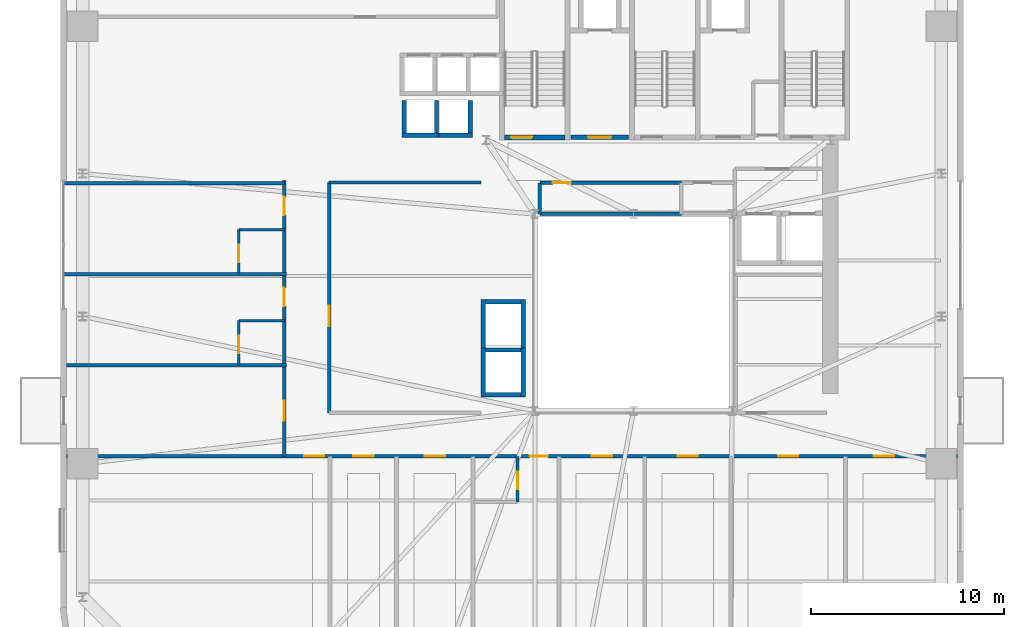
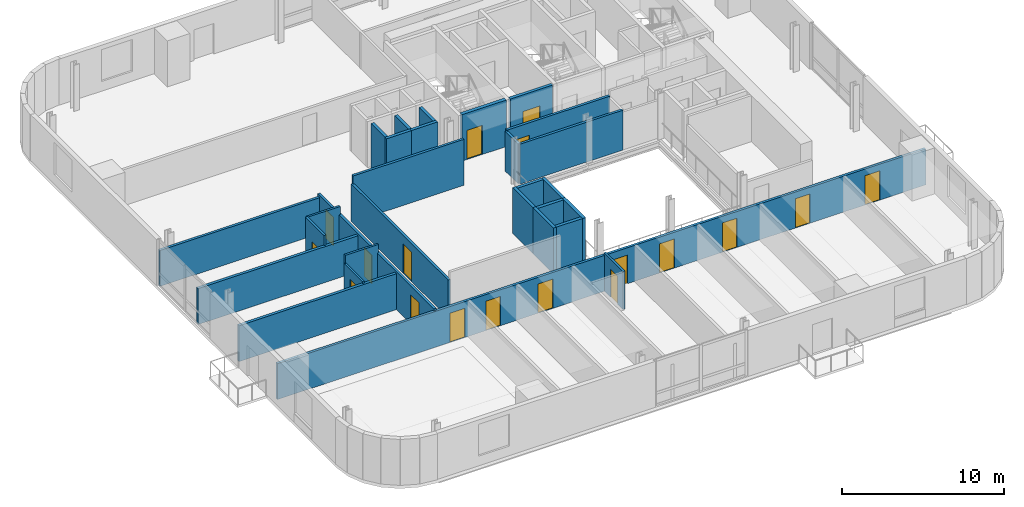
# One storey, part 6 of 14: 29 walls, 18 doors, 18 openings.
"""IFC4 building model written with IfcOpenShell, lengths in metres."""

from ifc_helpers import new_model, si_unit, direction, frame, frame_2d, origin, place, context, subcontext, project, spatial, rectangle, extrude, source, transform, mapped, material, layer, layer_set, type_object, element, fill, save


model = new_model("IFC4")

# Units and contexts
model_context = context("Model", 3, precision=1e-05, world=origin(), true_north=direction((0.0, 1.0)))
body_context = subcontext(model_context, "Body", "Model", "MODEL_VIEW")
ifc_project = project(units=[si_unit("LENGTHUNIT", "METRE"), si_unit("AREAUNIT", "SQUARE_METRE"), si_unit("VOLUMEUNIT", "CUBIC_METRE"), si_unit("PLANEANGLEUNIT", "RADIAN"), si_unit("MASSUNIT", "GRAM", prefix="KILO")], contexts=[model_context])

# Site, building, storey
site_placement = place(None, origin())
site = spatial("IfcSite", under=ifc_project, at=site_placement, CompositionType="ELEMENT")
building_placement = place(site_placement, origin())
building = spatial("IfcBuilding", under=site, at=building_placement, Name="Vardaveli Station Tower", CompositionType="ELEMENT")
storey_placement = place(building_placement, frame((0.0, 0.0, 129.800048828125)))
storey = spatial("IfcBuildingStorey", under=building, at=storey_placement, Name="L33", CompositionType="ELEMENT", Elevation=129.800048828125)

# Wall, opening, door
ifc_material_1 = material(Name="Concrete C40/50", Category="concrete")
ifc_layer_1 = layer(ifc_material_1, 0.25, Name="Concrete C40/50")
ifc_layer_set_1 = layer_set([ifc_layer_1], Name="Concrete C40/50")
wall_type_1 = type_object("IfcWallType", Name="WAL-SHAFT-250", PredefinedType="SOLIDWALL", material=ifc_layer_set_1)
shared_shape_1 = source(origin(), body_context, "Body", "SweptSolid", [
    extrude(rectangle(XDim=3.14990234375, YDim=0.25, at=frame_2d((1.574951171875, 0.0))), origin(), (0.0, 0.0, 1.0), 3.5),
])
wall_1_placement = place(storey_placement, frame((29.60009765625, 30.77490234375, 0.0), z_axis=(0.0, 0.0, 1.0), x_axis=(1.0, 0.0, 0.0)))
wall_1 = element("IfcWall", 1, at=wall_1_placement, inside=storey, type_object=wall_type_1, Name="W-L33-ST-1S", PredefinedType="SOLIDWALL", context=body_context, shape_type="MappedRepresentation", body=[
    mapped(shared_shape_1, transform((0.0, 0.0, 0.0), scale=1.0)),
])
shared_shape_2 = source(origin(), body_context, "Body", "SweptSolid", [
    extrude(rectangle(XDim=1.10009765625, YDim=2.199951171875, at=frame_2d((0.550048828125, 1.10009765625))), frame((0.0, 0.135009765625, 0.0), z_axis=(0.0, -1.0, 0.0), x_axis=(1.0, 0.0, 0.0)), (0.0, 0.0, 1.0), 0.27001953125),
])
opening_1_placement = place(wall_1_placement, frame((0.35009765625, 0.0, 0.0)))
opening_1 = element("IfcOpeningElement", 2, at=opening_1_placement, cuts=wall_1, Name="Opening D-04", PredefinedType="OPENING", context=body_context, shape_type="MappedRepresentation", body=[
    mapped(shared_shape_2, transform((0.0, 0.0, 0.0), scale=1.0)),
])
ifc_material_2 = material(Name="Steel smokeproof fire doorset", Category="steel")
door_type_1 = type_object("IfcDoorType", Name="DR-ST-1100x2200", OperationType="NOTDEFINED", PredefinedType="DOOR", material=ifc_material_2)
shared_shape_3 = source(origin(), body_context, "Body", "SweptSolid", [
    extrude(rectangle(XDim=1.10009765625, YDim=2.199951171875, at=frame_2d((0.550048828125, 1.10009765625))), frame((0.0, 0.02490234375, 0.0), z_axis=(0.0, -1.0, 0.0), x_axis=(1.0, 0.0, 0.0)), (0.0, 0.0, 1.0), 0.050048828125),
])
door_1_placement = place(opening_1_placement, origin())
door_1 = element("IfcDoor", 3, at=door_1_placement, inside=storey, type_object=door_type_1, Name="DST-1-L33", OperationType="SINGLE_SWING_LEFT", OverallHeight=2.199951171875, OverallWidth=1.10009765625, PredefinedType="DOOR", context=body_context, shape_type="MappedRepresentation", body=[
    mapped(shared_shape_3, transform((0.0, 0.0, 0.0), scale=1.0)),
])
fill(opening_1, door_1)

ifc_layer_2 = layer(ifc_material_1, 0.219970703125, Name="Concrete C40/50")
ifc_layer_set_2 = layer_set([ifc_layer_2], Name="Concrete C40/50")
wall_type_2 = type_object("IfcWallType", Name="WAL-FFLOBBY-220", PredefinedType="SOLIDWALL", material=ifc_layer_set_2)
shared_shape_4 = source(origin(), body_context, "Body", "SweptSolid", [
    extrude(rectangle(XDim=3.0, YDim=0.219970703125, at=frame_2d((1.5, 0.0))), origin(), (0.0, 0.0, 1.0), 3.4599609375),
])
wall_2_placement = place(storey_placement, frame((33.050048828125, 30.780029296875, 0.0), z_axis=(0.0, 0.0, 1.0), x_axis=(1.0, 0.0, 0.0)))
wall_2 = element("IfcWall", 4, at=wall_2_placement, inside=storey, type_object=wall_type_2, Name="W-L33-FFL1S", PredefinedType="SOLIDWALL", context=body_context, shape_type="MappedRepresentation", body=[
    mapped(shared_shape_4, transform((0.0, 0.0, 0.0), scale=1.0)),
])
shared_shape_5 = source(origin(), body_context, "Body", "SweptSolid", [
    extrude(rectangle(XDim=1.199951171875, YDim=2.199951171875, at=frame_2d((0.60009765625, 1.10009765625))), frame((0.0, 0.1201171875, 0.0), z_axis=(0.0, -1.0, 0.0), x_axis=(1.0, 0.0, 0.0)), (0.0, 0.0, 1.0), 0.239990234375),
])
opening_2_placement = place(wall_2_placement, frame((0.89990234375, 0.0, 0.0)))
opening_2 = element("IfcOpeningElement", 5, at=opening_2_placement, cuts=wall_2, Name="Opening D-03", PredefinedType="OPENING", context=body_context, shape_type="MappedRepresentation", body=[
    mapped(shared_shape_5, transform((0.0, 0.0, 0.0), scale=1.0)),
])
door_type_2 = type_object("IfcDoorType", Name="DR-FFL-1200x2200", OperationType="NOTDEFINED", PredefinedType="DOOR", material=ifc_material_2)
shared_shape_6 = source(origin(), body_context, "Body", "SweptSolid", [
    extrude(rectangle(XDim=1.199951171875, YDim=2.199951171875, at=frame_2d((0.60009765625, 1.10009765625))), frame((0.0, 0.02490234375, 0.0), z_axis=(0.0, -1.0, 0.0), x_axis=(1.0, 0.0, 0.0)), (0.0, 0.0, 1.0), 0.050048828125),
])
door_2_placement = place(opening_2_placement, origin())
door_2 = element("IfcDoor", 6, at=door_2_placement, inside=storey, type_object=door_type_2, Name="DFFL1-L33", OperationType="SINGLE_SWING_LEFT", OverallHeight=2.199951171875, OverallWidth=1.199951171875, PredefinedType="DOOR", context=body_context, shape_type="MappedRepresentation", body=[
    mapped(shared_shape_6, transform((0.0, 0.0, 0.0), scale=1.0)),
])
fill(opening_2, door_2)

# Walls
shared_shape_7 = source(origin(), body_context, "Body", "SweptSolid", [
    extrude(rectangle(XDim=1.89013671875, YDim=0.219970703125, at=frame_2d((0.945068359375, 0.0))), origin(), (0.0, 0.0, 1.0), 3.4599609375),
])
for number, where, z_axis, x_axis, name in (
    (7, (24.304931640625, 30.889892578125, 0.0), (0.0, 0.0, 1.0), (1.0, 0.0, 0.0), "SHW-SHU-01-L33-S"),
    (8, (26.054931640625, 30.889892578125, 0.0), (0.0, 0.0, 1.0), (1.0, 0.0, 0.0), "SHW-SHU-02-L33-S"),
):
    element("IfcWall", number, at=place(storey_placement, frame(where, z_axis=z_axis, x_axis=x_axis)), inside=storey, type_object=wall_type_2, Name=name, PredefinedType="SOLIDWALL", context=body_context, shape_type="MappedRepresentation", body=[
        mapped(shared_shape_7, transform((0.0, 0.0, 0.0), scale=1.0)),
    ])
shared_shape_8 = source(origin(), body_context, "Body", "SweptSolid", [
    extrude(rectangle(XDim=1.699951171875, YDim=0.219970703125, at=frame_2d((0.85009765625, 0.0))), origin(), (0.0, 0.0, 1.0), 3.4599609375),
])
for number, where, z_axis, x_axis, name in (
    (9, (24.4150390625, 31.0, 0.0), (0.0, 0.0, 1.0), (0.0, 1.0, 0.0), "SHW-SHU-01-L33-W"),
    (10, (26.0849609375, 31.0, 0.0), (0.0, 0.0, 1.0), (0.0, 1.0, 0.0), "SHW-SHU-01-L33-E"),
    (11, (27.8349609375, 31.0, 0.0), (0.0, 0.0, 1.0), (0.0, 1.0, 0.0), "SHW-SHU-02-L33-E"),
):
    element("IfcWall", number, at=place(storey_placement, frame(where, z_axis=z_axis, x_axis=x_axis)), inside=storey, type_object=wall_type_2, Name=name, PredefinedType="SOLIDWALL", context=body_context, shape_type="MappedRepresentation", body=[
        mapped(shared_shape_8, transform((0.0, 0.0, 0.0), scale=1.0)),
    ])
shared_shape_9 = source(origin(), body_context, "Body", "SweptSolid", [
    extrude(rectangle(XDim=1.85009765625, YDim=0.219970703125, at=frame_2d((0.925048828125, 0.0))), origin(), (0.0, 0.0, 1.0), 3.4599609375),
])
for number, where, z_axis, x_axis, name in (
    (12, (28.625, 17.43994140625, 0.0), (0.0, 0.0, 1.0), (1.0, 0.0, 0.0), "SHW-OBS-01-L33-S"),
    (13, (28.625, 19.760009765625, 0.0), (0.0, 0.0, 1.0), (1.0, 0.0, 0.0), "SHW-OBS-01-L33-N"),
    (14, (28.625, 22.260009765625, 0.0), (0.0, 0.0, 1.0), (1.0, 0.0, 0.0), "SHW-OBS-02-L33-N"),
):
    element("IfcWall", number, at=place(storey_placement, frame(where, z_axis=z_axis, x_axis=x_axis)), inside=storey, type_object=wall_type_2, Name=name, PredefinedType="SOLIDWALL", context=body_context, shape_type="MappedRepresentation", body=[
        mapped(shared_shape_9, transform((0.0, 0.0, 0.0), scale=1.0)),
    ])
shared_shape_10 = source(origin(), body_context, "Body", "SweptSolid", [
    extrude(rectangle(XDim=2.5400390625, YDim=0.219970703125, at=frame_2d((1.27001953125, 0.0))), origin(), (0.0, 0.0, 1.0), 3.4599609375),
])
for number, where, z_axis, x_axis, name in (
    (15, (28.514892578125, 17.330078125, 0.0), (0.0, 0.0, 1.0), (0.0, 1.0, 0.0), "SHW-OBS-01-L33-W"),
    (16, (30.5849609375, 17.330078125, 0.0), (0.0, 0.0, 1.0), (0.0, 1.0, 0.0), "SHW-OBS-01-L33-E"),
    (17, (28.514892578125, 19.830078125, 0.0), (0.0, 0.0, 1.0), (0.0, 1.0, 0.0), "SHW-OBS-02-L33-W"),
    (18, (30.5849609375, 19.830078125, 0.0), (0.0, 0.0, 1.0), (0.0, 1.0, 0.0), "SHW-OBS-02-L33-E"),
):
    element("IfcWall", number, at=place(storey_placement, frame(where, z_axis=z_axis, x_axis=x_axis)), inside=storey, type_object=wall_type_2, Name=name, PredefinedType="SOLIDWALL", context=body_context, shape_type="MappedRepresentation", body=[
        mapped(shared_shape_10, transform((0.0, 0.0, 0.0), scale=1.0)),
    ])

# Wall, openings, doors
ifc_material_3 = material(Name="Fire-rated gypsum stud partition")
ifc_layer_3 = layer(ifc_material_3, 0.179931640625, Name="Fire-rated gypsum stud partition")
ifc_layer_set_3 = layer_set([ifc_layer_3], Name="Fire-rated gypsum stud partition")
wall_type_3 = type_object("IfcWallType", Name="WAL-CORR-180", PredefinedType="PARTITIONING", material=ifc_layer_set_3)
shared_shape_11 = source(origin(), body_context, "Body", "SweptSolid", [
    extrude(rectangle(XDim=46.15576171875, YDim=0.179931640625, at=frame_2d((23.077880859375, 0.0))), origin(), (0.0, 0.0, 1.0), 2.701904296875),
])
wall_3_placement = place(storey_placement, frame((6.922119140625, 14.25, 0.0), z_axis=(0.0, 0.0, 1.0), x_axis=(1.0, 0.0, 0.0)))
wall_3 = element("IfcWall", 19, at=wall_3_placement, inside=storey, type_object=wall_type_3, Name="W-L33-CS", PredefinedType="PARTITIONING", context=body_context, shape_type="MappedRepresentation", body=[
    mapped(shared_shape_11, transform((0.0, 0.0, 0.0), scale=1.0)),
])
shared_shape_12 = source(origin(), body_context, "Body", "SweptSolid", [
    extrude(rectangle(XDim=1.050048828125, YDim=2.199951171875, at=frame_2d((0.52490234375, 1.10009765625))), frame((0.0, 0.10009765625, 0.0), z_axis=(0.0, -1.0, 0.0), x_axis=(1.0, 0.0, 0.0)), (0.0, 0.0, 1.0), 0.199951171875),
])
opening_3_placement = place(wall_3_placement, frame((12.298095703125, 0.0, 0.0)))
opening_3 = element("IfcOpeningElement", 20, at=opening_3_placement, cuts=wall_3, Name="Opening D-05", PredefinedType="OPENING", context=body_context, shape_type="MappedRepresentation", body=[
    mapped(shared_shape_12, transform((0.0, 0.0, 0.0), scale=1.0)),
])
opening_4_placement = place(wall_3_placement, frame((14.85302734375, 0.0, 0.0)))
opening_4 = element("IfcOpeningElement", 21, at=opening_4_placement, cuts=wall_3, Name="Opening D-05", PredefinedType="OPENING", context=body_context, shape_type="MappedRepresentation", body=[
    mapped(shared_shape_12, transform((0.0, 0.0, 0.0), scale=1.0)),
])
opening_5_placement = place(wall_3_placement, frame((18.555908203125, 0.0, 0.0)))
opening_5 = element("IfcOpeningElement", 22, at=opening_5_placement, cuts=wall_3, Name="Opening D-05", PredefinedType="OPENING", context=body_context, shape_type="MappedRepresentation", body=[
    mapped(shared_shape_12, transform((0.0, 0.0, 0.0), scale=1.0)),
])
shared_shape_13 = source(origin(), body_context, "Body", "SweptSolid", [
    extrude(rectangle(XDim=0.949951171875, YDim=2.14990234375, at=frame_2d((0.47509765625, 1.074951171875))), frame((0.0, 0.10009765625, 0.0), z_axis=(0.0, -1.0, 0.0), x_axis=(1.0, 0.0, 0.0)), (0.0, 0.0, 1.0), 0.199951171875),
])
opening_6_placement = place(wall_3_placement, frame((23.9853515625, 0.0, 0.0)))
opening_6 = element("IfcOpeningElement", 23, at=opening_6_placement, cuts=wall_3, Name="Opening D-06", PredefinedType="OPENING", context=body_context, shape_type="MappedRepresentation", body=[
    mapped(shared_shape_13, transform((0.0, 0.0, 0.0), scale=1.0)),
])
opening_7_placement = place(wall_3_placement, frame((27.213134765625, 0.0, 0.0)))
opening_7 = element("IfcOpeningElement", 24, at=opening_7_placement, cuts=wall_3, Name="Opening D-05", PredefinedType="OPENING", context=body_context, shape_type="MappedRepresentation", body=[
    mapped(shared_shape_12, transform((0.0, 0.0, 0.0), scale=1.0)),
])
opening_8_placement = place(wall_3_placement, frame((31.666015625, 0.0, 0.0)))
opening_8 = element("IfcOpeningElement", 25, at=opening_8_placement, cuts=wall_3, Name="Opening D-05", PredefinedType="OPENING", context=body_context, shape_type="MappedRepresentation", body=[
    mapped(shared_shape_12, transform((0.0, 0.0, 0.0), scale=1.0)),
])
opening_9_placement = place(wall_3_placement, frame((36.868896484375, 0.0, 0.0)))
opening_9 = element("IfcOpeningElement", 26, at=opening_9_placement, cuts=wall_3, Name="Opening D-05", PredefinedType="OPENING", context=body_context, shape_type="MappedRepresentation", body=[
    mapped(shared_shape_12, transform((0.0, 0.0, 0.0), scale=1.0)),
])
opening_10_placement = place(wall_3_placement, frame((41.827880859375, 0.0, 0.0)))
opening_10 = element("IfcOpeningElement", 27, at=opening_10_placement, cuts=wall_3, Name="Opening D-05", PredefinedType="OPENING", context=body_context, shape_type="MappedRepresentation", body=[
    mapped(shared_shape_12, transform((0.0, 0.0, 0.0), scale=1.0)),
])
ifc_material_4 = material(Name="Walnut veneer acoustic fire door")
door_type_3 = type_object("IfcDoorType", Name="DR-SUITE-1050x2200", OperationType="NOTDEFINED", PredefinedType="DOOR", material=ifc_material_4)
shared_shape_14 = source(origin(), body_context, "Body", "SweptSolid", [
    extrude(rectangle(XDim=1.050048828125, YDim=2.199951171875, at=frame_2d((0.52490234375, 1.10009765625))), frame((0.0, 0.02490234375, 0.0), z_axis=(0.0, -1.0, 0.0), x_axis=(1.0, 0.0, 0.0)), (0.0, 0.0, 1.0), 0.050048828125),
])
door_3_placement = place(opening_3_placement, origin())
door_3 = element("IfcDoor", 28, at=door_3_placement, inside=storey, type_object=door_type_3, Name="D-L33-SA1", OperationType="SINGLE_SWING_LEFT", OverallHeight=2.199951171875, OverallWidth=1.050048828125, PredefinedType="DOOR", context=body_context, shape_type="MappedRepresentation", body=[
    mapped(shared_shape_14, transform((0.0, 0.0, 0.0), scale=1.0)),
])
fill(opening_3, door_3)
door_4_placement = place(opening_4_placement, origin())
door_4 = element("IfcDoor", 29, at=door_4_placement, inside=storey, type_object=door_type_3, Name="D-L33-SA2", OperationType="SINGLE_SWING_RIGHT", OverallHeight=2.199951171875, OverallWidth=1.050048828125, PredefinedType="DOOR", context=body_context, shape_type="MappedRepresentation", body=[
    mapped(shared_shape_14, transform((0.0, 0.0, 0.0), scale=1.0)),
])
fill(opening_4, door_4)
door_5_placement = place(opening_5_placement, origin())
door_5 = element("IfcDoor", 30, at=door_5_placement, inside=storey, type_object=door_type_3, Name="D-L33-SA3", OperationType="SINGLE_SWING_LEFT", OverallHeight=2.199951171875, OverallWidth=1.050048828125, PredefinedType="DOOR", context=body_context, shape_type="MappedRepresentation", body=[
    mapped(shared_shape_14, transform((0.0, 0.0, 0.0), scale=1.0)),
])
fill(opening_5, door_5)
door_6_placement = place(opening_7_placement, origin())
door_6 = element("IfcDoor", 31, at=door_6_placement, inside=storey, type_object=door_type_3, Name="D-L33-SA5", OperationType="SINGLE_SWING_LEFT", OverallHeight=2.199951171875, OverallWidth=1.050048828125, PredefinedType="DOOR", context=body_context, shape_type="MappedRepresentation", body=[
    mapped(shared_shape_14, transform((0.0, 0.0, 0.0), scale=1.0)),
])
fill(opening_7, door_6)
door_7_placement = place(opening_8_placement, origin())
door_7 = element("IfcDoor", 32, at=door_7_placement, inside=storey, type_object=door_type_3, Name="D-L33-SA6", OperationType="SINGLE_SWING_RIGHT", OverallHeight=2.199951171875, OverallWidth=1.050048828125, PredefinedType="DOOR", context=body_context, shape_type="MappedRepresentation", body=[
    mapped(shared_shape_14, transform((0.0, 0.0, 0.0), scale=1.0)),
])
fill(opening_8, door_7)
door_8_placement = place(opening_9_placement, origin())
door_8 = element("IfcDoor", 33, at=door_8_placement, inside=storey, type_object=door_type_3, Name="D-L33-SA7", OperationType="SINGLE_SWING_LEFT", OverallHeight=2.199951171875, OverallWidth=1.050048828125, PredefinedType="DOOR", context=body_context, shape_type="MappedRepresentation", body=[
    mapped(shared_shape_14, transform((0.0, 0.0, 0.0), scale=1.0)),
])
fill(opening_9, door_8)
door_9_placement = place(opening_10_placement, origin())
door_9 = element("IfcDoor", 34, at=door_9_placement, inside=storey, type_object=door_type_3, Name="D-L33-SA8", OperationType="SINGLE_SWING_RIGHT", OverallHeight=2.199951171875, OverallWidth=1.050048828125, PredefinedType="DOOR", context=body_context, shape_type="MappedRepresentation", body=[
    mapped(shared_shape_14, transform((0.0, 0.0, 0.0), scale=1.0)),
])
fill(opening_10, door_9)
ifc_material_5 = material(Name="Oak veneer acoustic fire door")
door_type_4 = type_object("IfcDoorType", Name="DR-GUEST-950x2150", OperationType="NOTDEFINED", PredefinedType="DOOR", material=ifc_material_5)
shared_shape_15 = source(origin(), body_context, "Body", "SweptSolid", [
    extrude(rectangle(XDim=0.949951171875, YDim=2.14990234375, at=frame_2d((0.47509765625, 1.074951171875))), frame((0.0, 0.02490234375, 0.0), z_axis=(0.0, -1.0, 0.0), x_axis=(1.0, 0.0, 0.0)), (0.0, 0.0, 1.0), 0.050048828125),
])
door_10_placement = place(opening_6_placement, origin())
door_10 = element("IfcDoor", 35, at=door_10_placement, inside=storey, type_object=door_type_4, Name="D-L33-GS4", OperationType="SINGLE_SWING_RIGHT", OverallHeight=2.14990234375, OverallWidth=0.949951171875, PredefinedType="DOOR", context=body_context, shape_type="MappedRepresentation", body=[
    mapped(shared_shape_15, transform((0.0, 0.0, 0.0), scale=1.0)),
])
fill(opening_6, door_10)

# Walls
shared_shape_16 = source(origin(), body_context, "Body", "SweptSolid", [
    extrude(rectangle(XDim=11.469970703125, YDim=0.179931640625, at=frame_2d((5.73486328125, 0.0))), origin(), (0.0, 0.0, 1.0), 2.701904296875),
])
wall_4_placement = place(storey_placement, frame((6.72998046875, 28.39990234375, 0.0), z_axis=(0.0, 0.0, 1.0), x_axis=(1.0, 0.0, 0.0)))
element("IfcWall", 36, at=wall_4_placement, inside=storey, type_object=wall_type_3, Name="W-L33-CWN", PredefinedType="PARTITIONING", context=body_context, shape_type="MappedRepresentation", body=[
    mapped(shared_shape_16, transform((0.0, 0.0, 0.0), scale=1.0)),
])
shared_shape_17 = source(origin(), body_context, "Body", "SweptSolid", [
    extrude(rectangle(XDim=7.8798828125, YDim=0.179931640625, at=frame_2d((3.93994140625, 0.0))), origin(), (0.0, 0.0, 1.0), 3.4599609375),
])
wall_5_placement = place(storey_placement, frame((20.52001953125, 28.43994140625, 0.0), z_axis=(0.0, 0.0, 1.0), x_axis=(1.0, 0.0, 0.0)))
element("IfcWall", 37, at=wall_5_placement, inside=storey, type_object=wall_type_3, Name="W-L33-ATW-N", PredefinedType="PARTITIONING", context=body_context, shape_type="MappedRepresentation", body=[
    mapped(shared_shape_17, transform((0.0, 0.0, 0.0), scale=1.0)),
])

# Wall, opening, door
ifc_material_6 = material(Name="Moisture-resistant stud partition")
ifc_layer_4 = layer(ifc_material_6, 0.14990234375, Name="Moisture-resistant stud partition")
ifc_layer_set_4 = layer_set([ifc_layer_4], Name="Moisture-resistant stud partition")
wall_type_4 = type_object("IfcWallType", Name="WAL-WET-150", PredefinedType="PARTITIONING", material=ifc_layer_set_4)
shared_shape_18 = source(origin(), body_context, "Body", "SweptSolid", [
    extrude(rectangle(XDim=2.2900390625, YDim=0.14990234375, at=frame_2d((1.14501953125, 0.0))), origin(), (0.0, 0.0, 1.0), 2.85205078125),
])
wall_6_placement = place(storey_placement, frame((15.840087890625, 18.987060546875, 0.0), z_axis=(0.0, 0.0, 1.0), x_axis=(0.0, 1.0, 0.0)))
wall_6 = element("IfcWall", 38, at=wall_6_placement, inside=storey, type_object=wall_type_4, Name="W-L33-BW2-W", PredefinedType="PARTITIONING", context=body_context, shape_type="MappedRepresentation", body=[
    mapped(shared_shape_18, transform((0.0, 0.0, 0.0), scale=1.0)),
])
shared_shape_19 = source(origin(), body_context, "Body", "SweptSolid", [
    extrude(rectangle(XDim=0.89990234375, YDim=2.10009765625, at=frame_2d((0.449951171875, 1.050048828125))), frame((0.0, 0.0849609375, 0.0), z_axis=(0.0, -1.0, 0.0), x_axis=(1.0, 0.0, 0.0)), (0.0, 0.0, 1.0), 0.169921875),
])
opening_11_placement = place(wall_6_placement, frame((0.60009765625, 0.0, 0.0)))
opening_11 = element("IfcOpeningElement", 39, at=opening_11_placement, cuts=wall_6, Name="Opening D-08", PredefinedType="OPENING", context=body_context, shape_type="MappedRepresentation", body=[
    mapped(shared_shape_19, transform((0.0, 0.0, 0.0), scale=1.0)),
])
ifc_material_7 = material(Name="Moisture-resistant oak door")
door_type_5 = type_object("IfcDoorType", Name="DR-BATH-900x2100", OperationType="NOTDEFINED", PredefinedType="DOOR", material=ifc_material_7)
shared_shape_20 = source(origin(), body_context, "Body", "SweptSolid", [
    extrude(rectangle(XDim=0.89990234375, YDim=2.10009765625, at=frame_2d((0.449951171875, 1.050048828125))), frame((0.0, 0.02490234375, 0.0), z_axis=(0.0, -1.0, 0.0), x_axis=(1.0, 0.0, 0.0)), (0.0, 0.0, 1.0), 0.050048828125),
])
door_11_placement = place(opening_11_placement, origin())
door_11 = element("IfcDoor", 40, at=door_11_placement, inside=storey, type_object=door_type_5, Name="D-L33-BW2", OperationType="SINGLE_SWING_RIGHT", OverallHeight=2.10009765625, OverallWidth=0.89990234375, PredefinedType="DOOR", context=body_context, shape_type="MappedRepresentation", body=[
    mapped(shared_shape_20, transform((0.0, 0.0, 0.0), scale=1.0)),
])
fill(opening_11, door_11)

# Wall
shared_shape_21 = source(origin(), body_context, "Body", "SweptSolid", [
    extrude(rectangle(XDim=1.599853515625, YDim=0.179931640625, at=frame_2d((0.7998046875, 0.0))), origin(), (0.0, 0.0, 1.0), 3.001953125),
])
wall_7_placement = place(storey_placement, frame((31.449951171875, 26.820068359375, 0.0), z_axis=(0.0, 0.0, 1.0), x_axis=(0.0, 1.0, 0.0)))
element("IfcWall", 41, at=wall_7_placement, inside=storey, type_object=wall_type_3, Name="W-L33-HKP0-W", PredefinedType="PARTITIONING", context=body_context, shape_type="MappedRepresentation", body=[
    mapped(shared_shape_21, transform((0.0, 0.0, 0.0), scale=1.0)),
])

# Wall, opening, door
shared_shape_22 = source(origin(), body_context, "Body", "SweptSolid", [
    extrude(rectangle(XDim=11.93994140625, YDim=0.179931640625, at=frame_2d((5.969970703125, 0.0))), origin(), (0.0, 0.0, 1.0), 2.85205078125),
])
wall_8_placement = place(storey_placement, frame((20.52001953125, 16.5, 0.0), z_axis=(0.0, 0.0, 1.0), x_axis=(0.0, 1.0, 0.0)))
wall_8 = element("IfcWall", 42, at=wall_8_placement, inside=storey, type_object=wall_type_3, Name="W-L33-ATW-W", PredefinedType="PARTITIONING", context=body_context, shape_type="MappedRepresentation", body=[
    mapped(shared_shape_22, transform((0.0, 0.0, 0.0), scale=1.0)),
])
opening_12_placement = place(wall_8_placement, frame((4.5, 0.0, 0.0)))
opening_12 = element("IfcOpeningElement", 43, at=opening_12_placement, cuts=wall_8, Name="Opening D-05", PredefinedType="OPENING", context=body_context, shape_type="MappedRepresentation", body=[
    mapped(shared_shape_12, transform((0.0, 0.0, 0.0), scale=1.0)),
])
door_12_placement = place(opening_12_placement, origin())
door_12 = element("IfcDoor", 44, at=door_12_placement, inside=storey, type_object=door_type_3, Name="D-L33-ATW1", OperationType="SINGLE_SWING_RIGHT", OverallHeight=2.199951171875, OverallWidth=1.050048828125, PredefinedType="DOOR", context=body_context, shape_type="MappedRepresentation", body=[
    mapped(shared_shape_14, transform((0.0, 0.0, 0.0), scale=1.0)),
])
fill(opening_12, door_12)

shared_shape_23 = source(origin(), body_context, "Body", "SweptSolid", [
    extrude(rectangle(XDim=7.330078125, YDim=0.179931640625, at=frame_2d((3.6650390625, 0.0))), origin(), (0.0, 0.0, 1.0), 3.092041015625),
])
wall_9_placement = place(storey_placement, frame((31.449951171875, 28.419921875, 0.0), z_axis=(0.0, 0.0, 1.0), x_axis=(1.0, 0.0, 0.0)))
wall_9 = element("IfcWall", 45, at=wall_9_placement, inside=storey, type_object=wall_type_3, Name="W-L33-HKP0-N", PredefinedType="PARTITIONING", context=body_context, shape_type="MappedRepresentation", body=[
    mapped(shared_shape_23, transform((0.0, 0.0, 0.0), scale=1.0)),
])
opening_13_placement = place(wall_9_placement, frame((0.64990234375, 0.0, 0.0)))
opening_13 = element("IfcOpeningElement", 46, at=opening_13_placement, cuts=wall_9, Name="Opening D-06", PredefinedType="OPENING", context=body_context, shape_type="MappedRepresentation", body=[
    mapped(shared_shape_13, transform((0.0, 0.0, 0.0), scale=1.0)),
])
door_13_placement = place(opening_13_placement, origin())
door_13 = element("IfcDoor", 47, at=door_13_placement, inside=storey, type_object=door_type_4, Name="D-L33-HKP", OperationType="SINGLE_SWING_LEFT", OverallHeight=2.14990234375, OverallWidth=0.949951171875, PredefinedType="DOOR", context=body_context, shape_type="MappedRepresentation", body=[
    mapped(shared_shape_15, transform((0.0, 0.0, 0.0), scale=1.0)),
])
fill(opening_13, door_13)

# Wall
shared_shape_24 = source(origin(), body_context, "Body", "SweptSolid", [
    extrude(rectangle(XDim=7.330078125, YDim=0.179931640625, at=frame_2d((3.6650390625, 0.0))), origin(), (0.0, 0.0, 1.0), 3.001953125),
])
wall_10_placement = place(storey_placement, frame((31.449951171875, 26.820068359375, 0.0), z_axis=(0.0, 0.0, 1.0), x_axis=(1.0, 0.0, 0.0)))
element("IfcWall", 48, at=wall_10_placement, inside=storey, type_object=wall_type_3, Name="W-L33-HKP0-S", PredefinedType="PARTITIONING", context=body_context, shape_type="MappedRepresentation", body=[
    mapped(shared_shape_24, transform((0.0, 0.0, 0.0), scale=1.0)),
])

# Wall, opening, door
shared_shape_25 = source(origin(), body_context, "Body", "SweptSolid", [
    extrude(rectangle(XDim=2.2900390625, YDim=0.14990234375, at=frame_2d((1.14501953125, 0.0))), origin(), (0.0, 0.0, 1.0), 3.4599609375),
])
wall_11_placement = place(storey_placement, frame((15.840087890625, 23.702880859375, 0.0), z_axis=(0.0, 0.0, 1.0), x_axis=(0.0, 1.0, 0.0)))
wall_11 = element("IfcWall", 49, at=wall_11_placement, inside=storey, type_object=wall_type_4, Name="W-L33-BW3-W", PredefinedType="PARTITIONING", context=body_context, shape_type="MappedRepresentation", body=[
    mapped(shared_shape_25, transform((0.0, 0.0, 0.0), scale=1.0)),
])
opening_14_placement = place(wall_11_placement, frame((0.60009765625, 0.0, 0.0)))
opening_14 = element("IfcOpeningElement", 50, at=opening_14_placement, cuts=wall_11, Name="Opening D-08", PredefinedType="OPENING", context=body_context, shape_type="MappedRepresentation", body=[
    mapped(shared_shape_19, transform((0.0, 0.0, 0.0), scale=1.0)),
])
door_14_placement = place(opening_14_placement, origin())
door_14 = element("IfcDoor", 51, at=door_14_placement, inside=storey, type_object=door_type_5, Name="D-L33-BW3", OperationType="SINGLE_SWING_LEFT", OverallHeight=2.10009765625, OverallWidth=0.89990234375, PredefinedType="DOOR", context=body_context, shape_type="MappedRepresentation", body=[
    mapped(shared_shape_20, transform((0.0, 0.0, 0.0), scale=1.0)),
])
fill(opening_14, door_14)

# Wall, openings, doors
shared_shape_26 = source(origin(), body_context, "Body", "SweptSolid", [
    extrude(rectangle(XDim=14.300048828125, YDim=0.179931640625, at=frame_2d((7.14990234375, 0.0))), origin(), (0.0, 0.0, 1.0), 2.85205078125),
])
wall_12_placement = place(storey_placement, frame((18.199951171875, 14.25, 0.0), z_axis=(0.0, 0.0, 1.0), x_axis=(0.0, 1.0, 0.0)))
wall_12 = element("IfcWall", 52, at=wall_12_placement, inside=storey, type_object=wall_type_3, Name="W-L33-CW", PredefinedType="PARTITIONING", context=body_context, shape_type="MappedRepresentation", body=[
    mapped(shared_shape_26, transform((0.0, 0.0, 0.0), scale=1.0)),
])
opening_15_placement = place(wall_12_placement, frame((1.83837890625, 0.0, 0.0)))
opening_15 = element("IfcOpeningElement", 53, at=opening_15_placement, cuts=wall_12, Name="Opening D-05", PredefinedType="OPENING", context=body_context, shape_type="MappedRepresentation", body=[
    mapped(shared_shape_12, transform((0.0, 0.0, 0.0), scale=1.0)),
])
opening_16_placement = place(wall_12_placement, frame((7.780029296875, 0.0, 0.0)))
opening_16 = element("IfcOpeningElement", 54, at=opening_16_placement, cuts=wall_12, Name="Opening D-06", PredefinedType="OPENING", context=body_context, shape_type="MappedRepresentation", body=[
    mapped(shared_shape_13, transform((0.0, 0.0, 0.0), scale=1.0)),
])
opening_17_placement = place(wall_12_placement, frame((12.49658203125, 0.0, 0.0)))
opening_17 = element("IfcOpeningElement", 55, at=opening_17_placement, cuts=wall_12, Name="Opening D-06", PredefinedType="OPENING", context=body_context, shape_type="MappedRepresentation", body=[
    mapped(shared_shape_13, transform((0.0, 0.0, 0.0), scale=1.0)),
])
door_15_placement = place(opening_15_placement, origin())
door_15 = element("IfcDoor", 56, at=door_15_placement, inside=storey, type_object=door_type_3, Name="D-L33-GW1", OperationType="SINGLE_SWING_LEFT", OverallHeight=2.199951171875, OverallWidth=1.050048828125, PredefinedType="DOOR", context=body_context, shape_type="MappedRepresentation", body=[
    mapped(shared_shape_14, transform((0.0, 0.0, 0.0), scale=1.0)),
])
fill(opening_15, door_15)
door_16_placement = place(opening_16_placement, origin())
door_16 = element("IfcDoor", 57, at=door_16_placement, inside=storey, type_object=door_type_4, Name="D-L33-GW2", OperationType="SINGLE_SWING_RIGHT", OverallHeight=2.14990234375, OverallWidth=0.949951171875, PredefinedType="DOOR", context=body_context, shape_type="MappedRepresentation", body=[
    mapped(shared_shape_15, transform((0.0, 0.0, 0.0), scale=1.0)),
])
fill(opening_16, door_16)
door_17_placement = place(opening_17_placement, origin())
door_17 = element("IfcDoor", 58, at=door_17_placement, inside=storey, type_object=door_type_4, Name="D-L33-GW3", OperationType="SINGLE_SWING_LEFT", OverallHeight=2.14990234375, OverallWidth=0.949951171875, PredefinedType="DOOR", context=body_context, shape_type="MappedRepresentation", body=[
    mapped(shared_shape_15, transform((0.0, 0.0, 0.0), scale=1.0)),
])
fill(opening_17, door_17)

# Wall, opening, door
shared_shape_27 = source(origin(), body_context, "Body", "SweptSolid", [
    extrude(rectangle(XDim=2.360107421875, YDim=0.14990234375, at=frame_2d((1.18017578125, 0.0))), origin(), (0.0, 0.0, 1.0), 2.85205078125),
])
wall_13_placement = place(storey_placement, frame((30.285888671875, 11.889892578125, 0.0), z_axis=(0.0, 0.0, 1.0), x_axis=(0.0, 1.0, 0.0)))
wall_13 = element("IfcWall", 59, at=wall_13_placement, inside=storey, type_object=wall_type_4, Name="W-L33-BS4-E", PredefinedType="PARTITIONING", context=body_context, shape_type="MappedRepresentation", body=[
    mapped(shared_shape_27, transform((0.0, 0.0, 0.0), scale=1.0)),
])
opening_18_placement = place(wall_13_placement, frame((0.64990234375, 0.0, 0.0)))
opening_18 = element("IfcOpeningElement", 60, at=opening_18_placement, cuts=wall_13, Name="Opening D-08", PredefinedType="OPENING", context=body_context, shape_type="MappedRepresentation", body=[
    mapped(shared_shape_19, transform((0.0, 0.0, 0.0), scale=1.0)),
])
door_18_placement = place(opening_18_placement, origin())
door_18 = element("IfcDoor", 61, at=door_18_placement, inside=storey, type_object=door_type_5, Name="D-L33-BS4", OperationType="SINGLE_SWING_LEFT", OverallHeight=2.10009765625, OverallWidth=0.89990234375, PredefinedType="DOOR", context=body_context, shape_type="MappedRepresentation", body=[
    mapped(shared_shape_20, transform((0.0, 0.0, 0.0), scale=1.0)),
])
fill(opening_18, door_18)

# Walls
ifc_material_8 = material(Name="Acoustic twin-stud gypsum partition")
ifc_layer_5 = layer(ifc_material_8, 0.199951171875, Name="Acoustic twin-stud gypsum partition")
ifc_layer_set_5 = layer_set([ifc_layer_5], Name="Acoustic twin-stud gypsum partition")
wall_type_5 = type_object("IfcWallType", Name="WAL-PARTY-200", PredefinedType="PARTITIONING", material=ifc_layer_set_5)
shared_shape_28 = source(origin(), body_context, "Body", "SweptSolid", [
    extrude(rectangle(XDim=11.3779296875, YDim=0.199951171875, at=frame_2d((5.68896484375, 0.0))), origin(), (0.0, 0.0, 1.0), 2.701904296875),
])
wall_14_placement = place(storey_placement, frame((6.922119140625, 18.967041015625, 0.0), z_axis=(0.0, 0.0, 1.0), x_axis=(1.0, 0.0, 0.0)))
element("IfcWall", 62, at=wall_14_placement, inside=storey, type_object=wall_type_5, Name="W-L33-PW1", PredefinedType="PARTITIONING", context=body_context, shape_type="MappedRepresentation", body=[
    mapped(shared_shape_28, transform((0.0, 0.0, 0.0), scale=1.0)),
])
shared_shape_29 = source(origin(), body_context, "Body", "SweptSolid", [
    extrude(rectangle(XDim=11.570068359375, YDim=0.199951171875, at=frame_2d((5.78515625, 0.0))), origin(), (0.0, 0.0, 1.0), 2.701904296875),
])
wall_15_placement = place(storey_placement, frame((6.72998046875, 23.68310546875, 0.0), z_axis=(0.0, 0.0, 1.0), x_axis=(1.0, 0.0, 0.0)))
element("IfcWall", 63, at=wall_15_placement, inside=storey, type_object=wall_type_5, Name="W-L33-PW2", PredefinedType="PARTITIONING", context=body_context, shape_type="MappedRepresentation", body=[
    mapped(shared_shape_29, transform((0.0, 0.0, 0.0), scale=1.0)),
])
shared_shape_30 = source(origin(), body_context, "Body", "SweptSolid", [
    extrude(rectangle(XDim=2.35986328125, YDim=0.14990234375, at=frame_2d((1.179931640625, 0.0))), origin(), (0.0, 0.0, 1.0), 3.4599609375),
])
for number, where, z_axis, x_axis, name in (
    (64, (15.840087890625, 21.277099609375, 0.0), (0.0, 0.0, 1.0), (1.0, 0.0, 0.0), "W-L33-BW2-N"),
    (65, (15.840087890625, 25.992919921875, 0.0), (0.0, 0.0, 1.0), (1.0, 0.0, 0.0), "W-L33-BW3-N"),
):
    element("IfcWall", number, at=place(storey_placement, frame(where, z_axis=z_axis, x_axis=x_axis)), inside=storey, type_object=wall_type_4, Name=name, PredefinedType="PARTITIONING", context=body_context, shape_type="MappedRepresentation", body=[
        mapped(shared_shape_30, transform((0.0, 0.0, 0.0), scale=1.0)),
    ])

save(model, "model.ifc")
